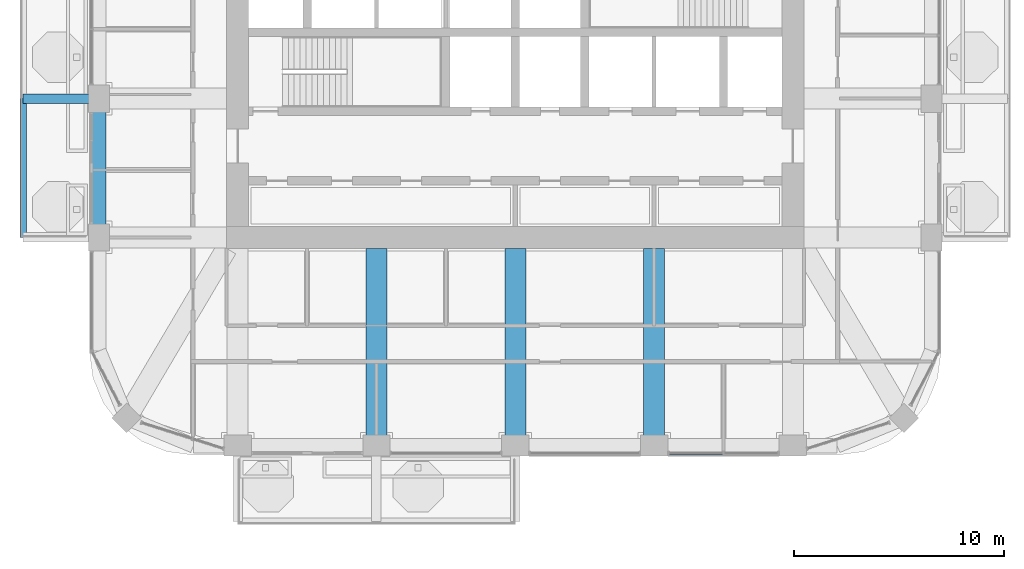
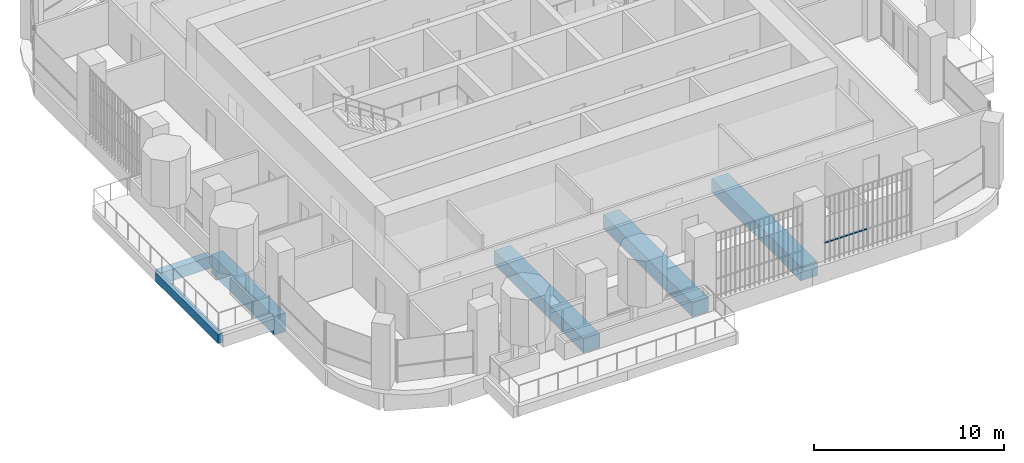
# One storey, part 3 of 20: 6 beams, 1 member, 1 element without a shape of its own.
"""IFC4 building model written with IfcOpenShell, lengths in metres."""

from ifc_helpers import new_model, si_unit, direction, frame, origin, origin_2d, place, context, subcontext, project, spatial, rectangle, extrude, material, material_profile, profile_set, type_object, element, aggregate, save


model = new_model("IFC4")

# Units and contexts
model_context = context("Model", 3, precision=1e-05, world=origin(), true_north=direction((0.0, 1.0)))
body_context = subcontext(model_context, "Body", "Model", "MODEL_VIEW")
ifc_project = project(units=[si_unit("LENGTHUNIT", "METRE"), si_unit("AREAUNIT", "SQUARE_METRE"), si_unit("VOLUMEUNIT", "CUBIC_METRE"), si_unit("PLANEANGLEUNIT", "RADIAN"), si_unit("MASSUNIT", "GRAM", prefix="KILO")], contexts=[model_context])

# Site, building, storey
site_placement = place(None, origin())
site = spatial("IfcSite", under=ifc_project, at=site_placement, CompositionType="ELEMENT")
building_placement = place(site_placement, origin())
building = spatial("IfcBuilding", under=site, at=building_placement, Name="Cobogo Forest Laboratory Tower", CompositionType="ELEMENT")
storey_placement = place(building_placement, frame((0.0, 0.0, 246.0)))
storey = spatial("IfcBuildingStorey", under=building, at=storey_placement, Name="L56", CompositionType="ELEMENT", Elevation=246.0)

# Beams
ifc_material_1 = material(Name="Concrete HA-40 (C40/50)", Category="concrete")
ifc_material_profile_1 = material_profile(ifc_material_1, rectangle(XDim=0.449951171875, YDim=0.75, at=origin_2d()), Name="RC 450x750")
ifc_profile_set_1 = profile_set([ifc_material_profile_1], Name="Concrete HA-40 (C40/50)")
beam_type_1 = type_object("IfcBeamType", Name="Balcony cantilever beam 450x750", PredefinedType="BEAM", material=ifc_profile_set_1)
beam_1_placement = place(storey_placement, frame((6.14990234375, 19.800048828125, -0.625), z_axis=(-1.0, 0.0, 0.0), x_axis=(0.0, -1.0, 0.0)))
element("IfcBeam", 1, at=beam_1_placement, inside=storey, type_object=beam_type_1, Name="CB1 BAL-W1-C2 L56", PredefinedType="BEAM", context=body_context, shape_type="SweptSolid", body=[
    extrude(rectangle(XDim=0.449951171875, YDim=0.75, at=origin_2d()), origin(), (0.0, 0.0, 1.0), 3.14990234375),
])
ifc_material_profile_2 = material_profile(ifc_material_1, rectangle(XDim=0.300048828125, YDim=0.60009765625, at=origin_2d()), Name="RC 300x600")
ifc_profile_set_2 = profile_set([ifc_material_profile_2], Name="Concrete HA-40 (C40/50)")
beam_type_2 = type_object("IfcBeamType", Name="Balcony edge beam 300x600", PredefinedType="BEAM", material=ifc_profile_set_2)
beam_2_placement = place(storey_placement, frame((3.0, 13.199951171875, -0.550048828125), z_axis=(0.0, 1.0, 0.0), x_axis=(-1.0, 0.0, 0.0)))
element("IfcBeam", 2, at=beam_2_placement, inside=storey, type_object=beam_type_2, Name="BB1 BAL-W1-T1 L56", PredefinedType="BEAM", context=body_context, shape_type="SweptSolid", body=[
    extrude(rectangle(XDim=0.300048828125, YDim=0.60009765625, at=origin_2d()), origin(), (0.0, 0.0, 1.0), 6.60009765625),
])
ifc_material_profile_3 = material_profile(ifc_material_1, rectangle(XDim=1.0, YDim=0.89990234375, at=origin_2d()), Name="RC 1000x900")
ifc_profile_set_3 = profile_set([ifc_material_profile_3], Name="Concrete HA-40 (C40/50)")
beam_type_3 = type_object("IfcBeamType", Name="Office floor wide beam 1000x900", PredefinedType="BEAM", material=ifc_profile_set_3)
for number, where, z_axis, x_axis, name in (
    (3, (19.800048828125, 12.675048828125, -0.75), (0.0, -1.0, 0.0), (1.0, 0.0, 0.0), "RB2 R-4-S L56"),
    (4, (26.39990234375, 12.675048828125, -0.75), (0.0, -1.0, 0.0), (1.0, 0.0, 0.0), "RB2 R-5-S L56"),
    (5, (33.0, 12.675048828125, -0.75), (0.0, -1.0, 0.0), (1.0, 0.0, 0.0), "RB2 R-6-S L56"),
):
    element("IfcBeam", number, at=place(storey_placement, frame(where, z_axis=z_axis, x_axis=x_axis)), inside=storey, type_object=beam_type_3, Name=name, PredefinedType="BEAM", context=body_context, shape_type="SweptSolid", body=[
        extrude(rectangle(XDim=1.0, YDim=0.89990234375, at=origin_2d()), origin(), (0.0, 0.0, 1.0), 9.375),
    ])
ifc_material_profile_4 = material_profile(ifc_material_1, rectangle(XDim=0.699951171875, YDim=1.199951171875, at=origin_2d()), Name="RC 700x1200")
ifc_profile_set_4 = profile_set([ifc_material_profile_4], Name="Concrete HA-40 (C40/50)")
beam_type_4 = type_object("IfcBeamType", Name="Perimeter edge beam 700x1200", PredefinedType="BEAM", material=ifc_profile_set_4)
beam_3_placement = place(storey_placement, frame((6.60009765625, 13.199951171875, -0.89990234375), z_axis=(0.0, 1.0, 0.0), x_axis=(-1.0, 0.0, 0.0)))
element("IfcBeam", 6, at=beam_3_placement, inside=storey, type_object=beam_type_4, Name="EB1 E-W1 L56", PredefinedType="BEAM", context=body_context, shape_type="SweptSolid", body=[
    extrude(rectangle(XDim=0.699951171875, YDim=1.199951171875, at=origin_2d()), origin(), (0.0, 0.0, 1.0), 6.60009765625),
])

# Curtain wall, member
ifc_material_2 = material(Name="Aluminium curtain wall", Category="aluminium")
curtain_wall_type = type_object("IfcCurtainWallType", Name="CW-2 unitised curtain wall, solar control glazing, laboratory floors zones C and D", PredefinedType="USERDEFINED", material=ifc_material_2)
curtain_wall_placement = place(storey_placement, origin())
curtain_wall = element("IfcCurtainWall", 7, at=curtain_wall_placement, inside=storey, type_object=curtain_wall_type, Name="Curtain wall 04 L56", ObjectType="UNITISED CURTAIN WALL", PredefinedType="USERDEFINED")
ifc_material_3 = material(Name="Aluminium transom", Category="aluminium")
ifc_material_profile_5 = material_profile(ifc_material_3, rectangle(XDim=0.1201171875, YDim=0.06005859375, at=origin_2d()), Name="AL 60x120")
ifc_profile_set_5 = profile_set([ifc_material_profile_5], Name="Aluminium transom")
member_type = type_object("IfcMemberType", Name="TR-1 aluminium transom 60x120", PredefinedType="USERDEFINED", material=ifc_profile_set_5)
member_placement = place(storey_placement, frame((33.7099609375, 2.949951171875, 1.050048828125), z_axis=(1.0, 0.0, 0.0), x_axis=(0.0, 1.0, 0.0)))
member = element("IfcMember", 8, at=member_placement, type_object=member_type, Name="CW-2 transom 1.1", ObjectType="TRANSOM", PredefinedType="USERDEFINED", context=body_context, shape_type="SweptSolid", body=[
    extrude(rectangle(XDim=0.1201171875, YDim=0.06005859375, at=origin_2d()), origin(), (0.0, 0.0, 1.0), 2.56005859375),
])
aggregate(curtain_wall, [member])

save(model, "model.ifc")
